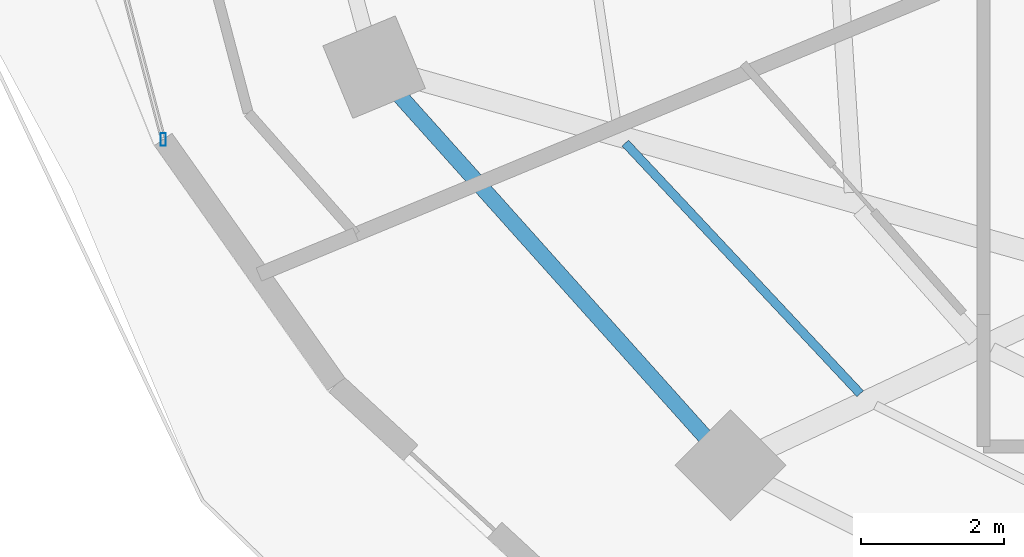
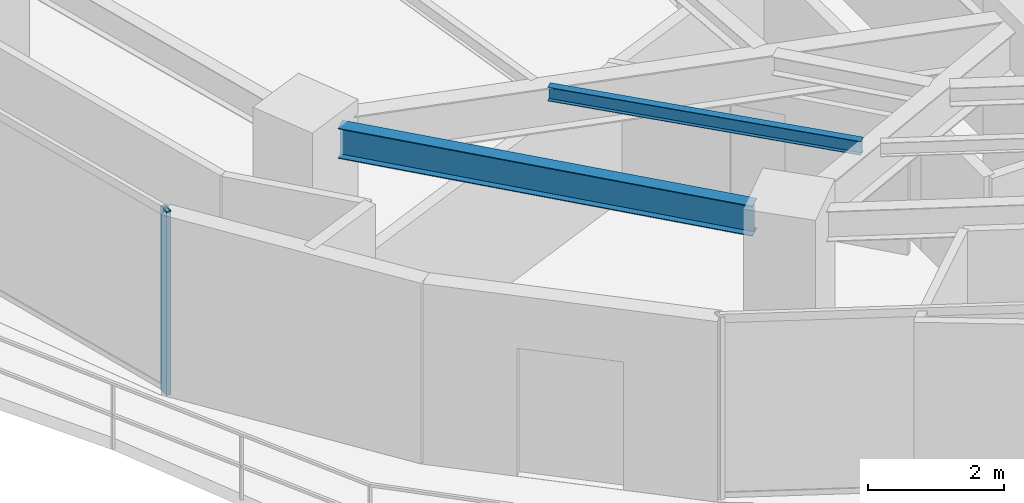
# One storey, part 3 of 30: 2 beams, 1 member, 1 element without a shape of its own.
"""IFC4 building model written with IfcOpenShell, lengths in metres."""

import ifcopenshell
import ifcopenshell.guid

model = None  # the IFC model being written
_history = None  # IfcOwnerHistory: only IFC2X3 demands one
_inside = {}  # id of a spatial element -> (the spatial element, [elements in it])
_under = {}  # id of a project, library or spatial element -> (it, [spatial elements below it])
_declared = {}  # id of a project -> (the project, [libraries it declares])
_typed = {}  # id of a type object -> (the type object, [elements of that type])
_made_of = {}  # id of a material, layer set ... -> (it, [elements and type objects made of it])


def new_model(schema):
    """Start an empty IFC model of exactly this schema.

    Asked for "IFC4X3", IfcOpenShell would pick the latest addendum, in which some entities
    have other attributes; the version numbers below select the first issue.
    IFC2X3 requires an IfcOwnerHistory on every rooted entity: one is made here for all.
    """
    global model, _history
    if schema == "IFC4X3":
        model = ifcopenshell.file(schema_version=(4, 3, 0, 0))
    else:
        model = ifcopenshell.file(schema=schema)
    _inside.clear()
    _under.clear()
    _declared.clear()
    _typed.clear()
    _made_of.clear()
    _history = None
    if model.schema == "IFC2X3":
        org = make("IfcOrganization", Name="unknown")
        user = make(
            "IfcPersonAndOrganization",
            ThePerson=make("IfcPerson", FamilyName="unknown"),
            TheOrganization=org,
        )
        app = make(
            "IfcApplication",
            ApplicationDeveloper=org,
            Version="unknown",
            ApplicationFullName="unknown",
            ApplicationIdentifier="unknown",
        )
        _history = make(
            "IfcOwnerHistory",
            OwningUser=user,
            OwningApplication=app,
            ChangeAction="ADDED",
            CreationDate=0,
        )
    return model


def make(cls, **values):
    """One entity of the class cls with the attributes given. An attribute that is None is left unset."""
    return model.create_entity(
        cls, **{name: value for name, value in values.items() if value is not None}
    )


def rooted(cls, **values):
    """An entity with a GlobalId (a new one), such as an element, a storey or a relation."""
    return make(cls, GlobalId=ifcopenshell.guid.new(), OwnerHistory=_history, **values)


def si_unit(unit_type, name, prefix=None):
    """IfcSIUnit, for example si_unit("LENGTHUNIT", "METRE", prefix="MILLI")."""
    return make("IfcSIUnit", UnitType=unit_type, Prefix=prefix, Name=name)


def assignment(units):
    """IfcUnitAssignment: the units of a project."""
    return None if units is None else make("IfcUnitAssignment", Units=units)


def point(xyz):
    """IfcCartesianPoint."""
    return None if xyz is None else make("IfcCartesianPoint", Coordinates=xyz)


def direction(xyz):
    """IfcDirection."""
    return None if xyz is None else make("IfcDirection", DirectionRatios=xyz)


def frame(location, z_axis=None, x_axis=None):
    """IfcAxis2Placement3D, a coordinate frame: its origin and axes. An axis left out is left unset."""
    return make(
        "IfcAxis2Placement3D",
        Location=point(location),
        Axis=direction(z_axis),
        RefDirection=direction(x_axis),
    )


def frame_2d(location, x_axis=None):
    """IfcAxis2Placement2D, a coordinate frame in the plane: its origin and x axis."""
    return make(
        "IfcAxis2Placement2D", Location=point(location), RefDirection=direction(x_axis)
    )


def origin():
    """The frame at (0, 0, 0) with its axes left unset."""
    return frame((0.0, 0.0, 0.0))


def origin_2d():
    """The frame at (0, 0) in the plane with its x axis left unset."""
    return frame_2d((0.0, 0.0))


def place(relative_to, where):
    """IfcLocalPlacement: puts the frame where relative to a parent placement (None: the world)."""
    return make(
        "IfcLocalPlacement", PlacementRelTo=relative_to, RelativePlacement=where
    )


def context(
    kind, dimensions, precision=None, world=None, true_north=None, identifier=None
):
    """IfcGeometricRepresentationContext, for example the 3D "Model" context."""
    return make(
        "IfcGeometricRepresentationContext",
        ContextIdentifier=identifier,
        ContextType=kind,
        CoordinateSpaceDimension=dimensions,
        Precision=precision,
        WorldCoordinateSystem=world,
        TrueNorth=true_north,
    )


def subcontext(parent, identifier, kind, view, scale=None):
    """IfcGeometricRepresentationSubContext, for example "Body" below "Model"."""
    return make(
        "IfcGeometricRepresentationSubContext",
        ContextIdentifier=identifier,
        ContextType=kind,
        ParentContext=parent,
        TargetScale=scale,
        TargetView=view,
    )


def project(units=None, contexts=None):
    """IfcProject with its units and contexts."""
    return rooted(
        "IfcProject",
        Name="project",
        RepresentationContexts=contexts,
        UnitsInContext=assignment(units),
    )


def spatial(cls, under=None, at=None, **own):
    """A site, building, storey or space (cls), placed at a placement, below another one or the project."""
    s = rooted(cls, ObjectPlacement=at, **own)
    if under is not None:
        _under.setdefault(under.id(), (under, []))[1].append(s)
    return s


def profile(cls, at=None, kind="AREA", **sizes):
    """A parametric profile (cls). Its sizes go by their IFC names, for example OverallWidth=200.0."""
    return make(cls, ProfileType=kind, Position=at, **sizes)


def hollow_rectangle(**sizes):
    """IfcRectangleHollowProfileDef."""
    return profile("IfcRectangleHollowProfileDef", **sizes)


def i_section(**sizes):
    """IfcIShapeProfileDef."""
    return profile("IfcIShapeProfileDef", **sizes)


def extrude(swept, where, along, depth):
    """IfcExtrudedAreaSolid: the profile swept, set in the frame where, extruded along a direction by depth."""
    return make(
        "IfcExtrudedAreaSolid",
        SweptArea=swept,
        Position=where,
        ExtrudedDirection=direction(along),
        Depth=depth,
    )


def shape(context_of_items, identifier, shape_type, items):
    """IfcShapeRepresentation: the items that make up one representation, for example the "Body"."""
    return make(
        "IfcShapeRepresentation",
        ContextOfItems=context_of_items,
        RepresentationIdentifier=identifier,
        RepresentationType=shape_type,
        Items=items,
    )


def material(Name=None, Category=None):
    """IfcMaterial."""
    return make("IfcMaterial", Name=Name, Category=Category)


def material_profile(
    of_material, cross_section, Name=None, Category=None, Priority=None
):
    """IfcMaterialProfile: a cross section and its material."""
    return make(
        "IfcMaterialProfile",
        Name=Name,
        Material=of_material,
        Profile=cross_section,
        Priority=Priority,
        Category=Category,
    )


def profile_set(profiles, Name=None, composite=None):
    """IfcMaterialProfileSet."""
    return make(
        "IfcMaterialProfileSet",
        Name=Name,
        MaterialProfiles=profiles,
        CompositeProfile=composite,
    )


def made_of(thing, what):
    """Note that an element or type object is made of a material, layer set ...; save() writes the relation."""
    if what is not None:
        _made_of.setdefault(what.id(), (what, []))[1].append(thing)
    return thing


def type_object(cls, material=None, **own):
    """A type object (cls), such as IfcWallType, which elements share."""
    return made_of(rooted(cls, **own), material)


def element(
    cls,
    number,
    at=None,
    inside=None,
    cuts=None,
    type_object=None,
    material=None,
    context=None,
    identifier="Body",
    shape_type=None,
    held_by="IfcProductDefinitionShape",
    body=None,
    shapes=None,
    **own,
):
    """One element of the class cls, such as IfcWall. Its Tag is "e" and its number.

    at: its placement. inside: the storey or other place that contains it. cuts: it is an
    opening in that element (IfcRelVoidsElement). A single representation is given by context,
    identifier, shape_type and body (its items); several are given by shapes. held_by: the class
    of the entity that holds the representations. save() writes the other relations.
    """
    e = rooted(cls, Tag="e%d" % number, ObjectPlacement=at, **own)
    if body is not None:
        shapes = [shape(context, identifier, shape_type, body)]
    if shapes is not None:
        e.Representation = make(held_by, Representations=shapes)
    if inside is not None:
        _inside.setdefault(inside.id(), (inside, []))[1].append(e)
    if cuts is not None:
        rooted(
            "IfcRelVoidsElement", RelatingBuildingElement=cuts, RelatedOpeningElement=e
        )
    if type_object is not None:
        _typed.setdefault(type_object.id(), (type_object, []))[1].append(e)
    return made_of(e, material)


def aggregate(whole, parts):
    """IfcRelAggregates: a whole, such as a stair, and the parts it consists of."""
    return rooted("IfcRelAggregates", RelatingObject=whole, RelatedObjects=parts)


def save(model, path):
    """Write the relations noted so far, then the file.

    IfcRelAggregates (storeys below a building ...), IfcRelContainedInSpatialStructure (elements
    in a storey), IfcRelDefinesByType, IfcRelAssociatesMaterial and IfcRelDeclares: one each for
    every whole, place, type object, material and project.
    """
    for whole, parts in _under.values():
        aggregate(whole, parts)
    for where, things in _inside.values():
        rooted(
            "IfcRelContainedInSpatialStructure",
            RelatedElements=things,
            RelatingStructure=where,
        )
    for kind, things in _typed.values():
        rooted("IfcRelDefinesByType", RelatedObjects=things, RelatingType=kind)
    for what, things in _made_of.values():
        rooted("IfcRelAssociatesMaterial", RelatedObjects=things, RelatingMaterial=what)
    for by, libraries in _declared.values():
        rooted("IfcRelDeclares", RelatingContext=by, RelatedDefinitions=libraries)
    model.write(path)


model = new_model("IFC4")

# Units and contexts
model_context = context("Model", 3, precision=1e-05, world=origin(), true_north=direction((0.0, 1.0)))
body_context = subcontext(model_context, "Body", "Model", "MODEL_VIEW")
ifc_project = project(units=[si_unit("LENGTHUNIT", "METRE"), si_unit("AREAUNIT", "SQUARE_METRE"), si_unit("VOLUMEUNIT", "CUBIC_METRE"), si_unit("PLANEANGLEUNIT", "RADIAN"), si_unit("MASSUNIT", "GRAM", prefix="KILO")], contexts=[model_context])

# Site, building, storey
site_placement = place(None, origin())
site = spatial("IfcSite", under=ifc_project, at=site_placement, CompositionType="ELEMENT")
building_placement = place(site_placement, origin())
building = spatial("IfcBuilding", under=site, at=building_placement, Name="Vorneva Point Tower", CompositionType="ELEMENT")
storey_placement = place(building_placement, frame((0.0, 0.0, 106.800048828125)))
storey = spatial("IfcBuildingStorey", under=building, at=storey_placement, Name="L28", CompositionType="ELEMENT", Elevation=106.800048828125)

# Beams
ifc_material_1 = material(Name="Steel S355", Category="steel")
ifc_material_profile_1 = material_profile(ifc_material_1, i_section(OverallWidth=0.1240234375, OverallDepth=0.248046875, WebThickness=0.0048828125, FlangeThickness=0.008056640625, at=origin_2d()), Name="25B1")
ifc_profile_set_1 = profile_set([ifc_material_profile_1], Name="Steel S355")
beam_type_1 = type_object("IfcBeamType", Name="BM-JST-25B1", PredefinedType="JOIST", material=ifc_profile_set_1)
beam_1_placement = place(storey_placement, frame((20.226806640625, 18.352294921875, 3.115966796875), z_axis=(0.683897278678, -0.72957831123, 0.0), x_axis=(0.72957831123, 0.683897278678, 0.0)))
element("IfcBeam", 1, at=beam_1_placement, inside=storey, type_object=beam_type_1, Name="L28 Secondary Floor Beam 1.10", PredefinedType="JOIST", context=body_context, shape_type="SweptSolid", body=[
    extrude(i_section(OverallWidth=0.1240234375, OverallDepth=0.248046875, WebThickness=0.0048828125, FlangeThickness=0.008056640625, at=origin_2d()), origin(), (0.0, 0.0, 1.0), 4.8154296875),
])
ifc_material_profile_2 = material_profile(ifc_material_1, i_section(OverallWidth=0.219970703125, OverallDepth=0.54296875, WebThickness=0.009521484375, FlangeThickness=0.013427734375, at=origin_2d()), Name="55B1")
ifc_profile_set_2 = profile_set([ifc_material_profile_2], Name="Steel S355")
beam_type_2 = type_object("IfcBeamType", Name="BM-SPN-55B1", PredefinedType="SPANDREL", material=ifc_profile_set_2)
beam_2_placement = place(storey_placement, frame((17.0615234375, 19.019287109375, 2.968505859375), z_axis=(0.667073815664, -0.744991627105, 0.0), x_axis=(0.744991627105, 0.667073815664, 0.0)))
element("IfcBeam", 2, at=beam_2_placement, inside=storey, type_object=beam_type_2, Name="L28 Perimeter Spandrel Ring Beam 10", PredefinedType="SPANDREL", context=body_context, shape_type="SweptSolid", body=[
    extrude(i_section(OverallWidth=0.219970703125, OverallDepth=0.54296875, WebThickness=0.009521484375, FlangeThickness=0.013427734375, at=origin_2d()), origin(), (0.0, 0.0, 1.0), 6.420166015625),
])

# Curtain wall, member
ifc_material_2 = material(Name="Pale anodised aluminium", Category="aluminium")
curtain_wall_type = type_object("IfcCurtainWallType", Name="CW-HTL-SYS", PredefinedType="NOTDEFINED", material=ifc_material_2)
curtain_wall_placement = place(storey_placement, origin())
curtain_wall = element("IfcCurtainWall", 3, at=curtain_wall_placement, inside=storey, type_object=curtain_wall_type, Name="L28 Unitised Curtain Wall CW-L28-R03", PredefinedType="NOTDEFINED")
ifc_material_profile_3 = material_profile(ifc_material_2, hollow_rectangle(XDim=0.074951171875, YDim=0.179931640625, WallThickness=0.00390625, at=origin_2d()), Name="AL-MUL 180x75x4")
ifc_profile_set_3 = profile_set([ifc_material_profile_3], Name="Pale anodised aluminium")
member_type = type_object("IfcMemberType", Name="CW-MUL-180", PredefinedType="MULLION", material=ifc_profile_set_3)
member_placement = place(storey_placement, frame((13.748291015625, 18.40380859375, -0.0400390625), z_axis=(0.0, 0.0, 1.0), x_axis=(1.0, 0.0, 0.0)))
member = element("IfcMember", 4, at=member_placement, type_object=member_type, Name="CW-L28-R03 Mullion 04", PredefinedType="MULLION", context=body_context, shape_type="SweptSolid", body=[
    extrude(hollow_rectangle(XDim=0.074951171875, YDim=0.179931640625, WallThickness=0.00390625, at=origin_2d()), origin(), (0.0, 0.0, 1.0), 3.31005859375),
])
aggregate(curtain_wall, [member])

save(model, "model.ifc")
